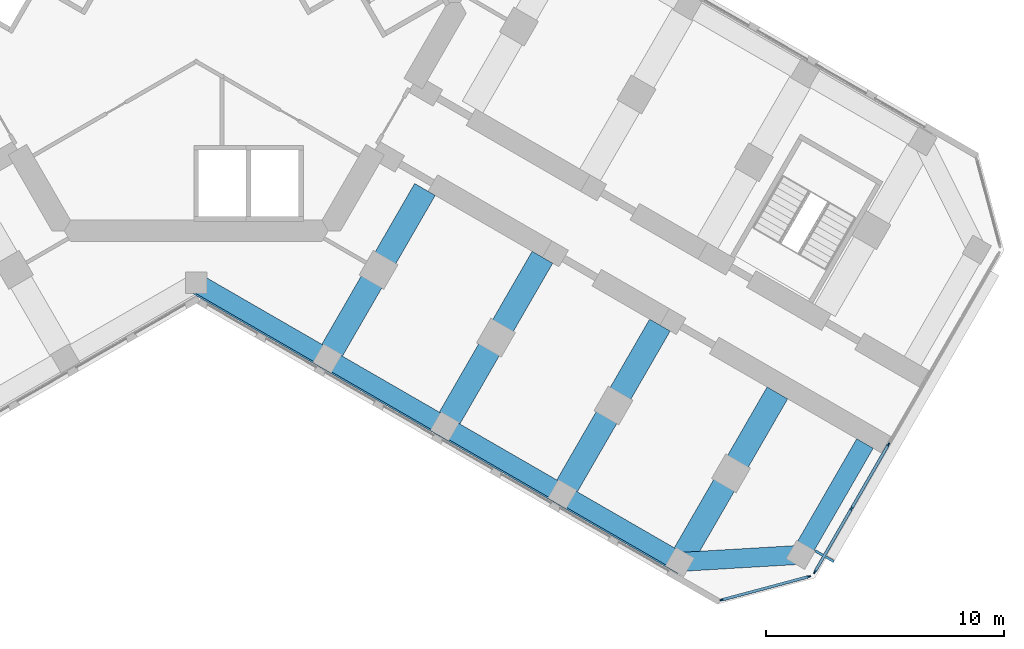
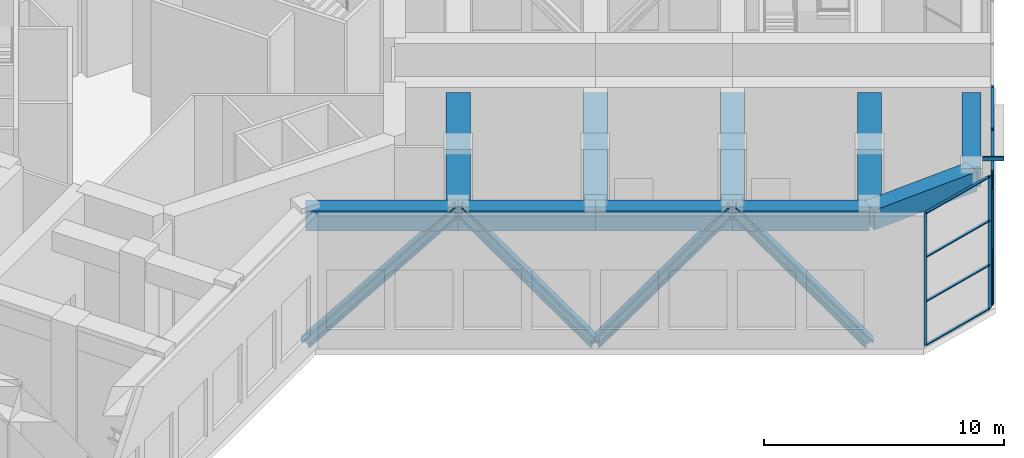
# One storey, part 5 of 15: 20 members, 10 beams, 2 elements without a shape of their own.
"""IFC4 building model written with IfcOpenShell, lengths in metres."""

from ifc_helpers import new_model, si_unit, direction, frame, origin, origin_2d, place, context, subcontext, project, spatial, rectangle, hollow_rectangle, i_section, extrude, material, material_profile, profile_set, type_object, element, aggregate, save


model = new_model("IFC4")

# Units and contexts
model_context = context("Model", 3, precision=1e-05, world=origin(), true_north=direction((0.0, 1.0)))
body_context = subcontext(model_context, "Body", "Model", "MODEL_VIEW")
ifc_project = project(units=[si_unit("LENGTHUNIT", "METRE"), si_unit("AREAUNIT", "SQUARE_METRE"), si_unit("VOLUMEUNIT", "CUBIC_METRE"), si_unit("PLANEANGLEUNIT", "RADIAN"), si_unit("MASSUNIT", "GRAM", prefix="KILO")], contexts=[model_context])

# Site, building, storey
site_placement = place(None, origin())
site = spatial("IfcSite", under=ifc_project, at=site_placement, CompositionType="ELEMENT")
building_placement = place(site_placement, origin())
building = spatial("IfcBuilding", under=site, at=building_placement, Name="Kosmar Iwan School Tower", CompositionType="ELEMENT")
storey_placement = place(building_placement, frame((0.0, 0.0, 186.800048828125)))
storey = spatial("IfcBuildingStorey", under=building, at=storey_placement, Name="L47", CompositionType="ELEMENT", Elevation=186.800048828125)

# Members
ifc_material_1 = material(Name="Steel S355", Category="steel")
ifc_material_profile_1 = material_profile(ifc_material_1, i_section(OverallWidth=0.424072265625, OverallDepth=0.47412109375, WebThickness=0.047607421875, FlangeThickness=0.0771484375, FilletRadius=0.014892578125, at=origin_2d()), Name="HD 400x634")
ifc_profile_set_1 = profile_set([ifc_material_profile_1], Name="Steel S355")
member_type_1 = type_object("IfcMemberType", Name="Belt truss diagonal HD 400x634", PredefinedType="BRACE", material=ifc_profile_set_1)
member_1_placement = place(storey_placement, frame((-0.12890625, -12.00146484375, 0.0), z_axis=(0.590541526201, -0.340940633834, 0.731450743409), x_axis=(0.49999045822, 0.866030912664, 0.0)))
element("IfcMember", 1, at=member_1_placement, inside=storey, type_object=member_type_1, Name="Belt truss diagonal CR1", PredefinedType="BRACE", context=body_context, shape_type="SweptSolid", body=[
    extrude(i_section(OverallWidth=0.424072265625, OverallDepth=0.47412109375, WebThickness=0.047607421875, FlangeThickness=0.0771484375, FilletRadius=0.014892578125, at=origin_2d()), origin(), (0.0, 0.0, 1.0), 9.328369140625),
])
member_2_placement = place(storey_placement, frame((5.3798828125, -15.181884765625, 6.8232421875), z_axis=(0.555211280294, -0.320566619821, -0.767448680037), x_axis=(0.50001782563, 0.866015111908, 0.0)))
element("IfcMember", 2, at=member_2_placement, inside=storey, type_object=member_type_1, Name="Belt truss diagonal CR2", PredefinedType="BRACE", context=body_context, shape_type="SweptSolid", body=[
    extrude(i_section(OverallWidth=0.424072265625, OverallDepth=0.47412109375, WebThickness=0.047607421875, FlangeThickness=0.0771484375, FilletRadius=0.014892578125, at=origin_2d()), origin(), (0.0, 0.0, 1.0), 8.890869140625),
])
member_3_placement = place(storey_placement, frame((10.316162109375, -18.031982421875, 0.0), z_axis=(0.555216167519, -0.320541981475, 0.767455435473), x_axis=(0.49998570155, 0.866033658841, 0.0)))
element("IfcMember", 3, at=member_3_placement, inside=storey, type_object=member_type_1, Name="Belt truss diagonal CR3", PredefinedType="BRACE", context=body_context, shape_type="SweptSolid", body=[
    extrude(i_section(OverallWidth=0.424072265625, OverallDepth=0.47412109375, WebThickness=0.047607421875, FlangeThickness=0.0771484375, FilletRadius=0.014892578125, at=origin_2d()), origin(), (0.0, 0.0, 1.0), 8.890625),
])
member_4_placement = place(storey_placement, frame((15.25244140625, -20.8818359375, 6.8232421875), z_axis=(0.555230274968, -0.320561732442, -0.767436979466), x_axis=(0.499999279071, 0.866025820012, 0.0)))
element("IfcMember", 4, at=member_4_placement, inside=storey, type_object=member_type_1, Name="Belt truss diagonal CR4", PredefinedType="BRACE", context=body_context, shape_type="SweptSolid", body=[
    extrude(i_section(OverallWidth=0.424072265625, OverallDepth=0.47412109375, WebThickness=0.047607421875, FlangeThickness=0.0771484375, FilletRadius=0.014892578125, at=origin_2d()), origin(), (0.0, 0.0, 1.0), 8.890869140625),
])

# Beams
ifc_material_2 = material(Name="Concrete C50/60", Category="concrete")
ifc_material_profile_2 = material_profile(ifc_material_2, rectangle(XDim=0.800048828125, YDim=1.0, at=origin_2d()), Name="RC 800x1000 + HD 400x634")
ifc_profile_set_2 = profile_set([ifc_material_profile_2], Name="Concrete C50/60")
beam_type_1 = type_object("IfcBeamType", Name="Composite edge beam 800x1000 HD 400x634", PredefinedType="BEAM", material=ifc_profile_set_2)
beam_1_placement = place(storey_placement, frame((0.0, -11.77783203125, 6.25), z_axis=(0.866014293216, -0.500019243575, 0.0), x_axis=(0.500019243575, 0.866014293216, 0.0)))
element("IfcBeam", 5, at=beam_1_placement, inside=storey, type_object=beam_type_1, Name="Edge beam CR1", PredefinedType="BEAM", context=body_context, shape_type="SweptSolid", body=[
    extrude(rectangle(XDim=0.800048828125, YDim=1.0, at=origin_2d()), origin(), (0.0, 0.0, 1.0), 6.361083984375),
])
beam_2_placement = place(storey_placement, frame((5.5087890625, -14.95849609375, 6.25), z_axis=(0.866033658841, -0.49998570155, 0.0), x_axis=(0.49998570155, 0.866033658841, 0.0)))
element("IfcBeam", 6, at=beam_2_placement, inside=storey, type_object=beam_type_1, Name="Edge beam CR2", PredefinedType="BEAM", context=body_context, shape_type="SweptSolid", body=[
    extrude(rectangle(XDim=0.800048828125, YDim=1.0, at=origin_2d()), origin(), (0.0, 0.0, 1.0), 5.699951171875),
])
beam_3_placement = place(storey_placement, frame((10.445068359375, -17.808349609375, 6.25), z_axis=(0.866025820012, -0.499999279071, 0.0), x_axis=(0.499999279071, 0.866025820012, 0.0)))
element("IfcBeam", 7, at=beam_3_placement, inside=storey, type_object=beam_type_1, Name="Edge beam CR3", PredefinedType="BEAM", context=body_context, shape_type="SweptSolid", body=[
    extrude(rectangle(XDim=0.800048828125, YDim=1.0, at=origin_2d()), origin(), (0.0, 0.0, 1.0), 5.7001953125),
])
beam_4_placement = place(storey_placement, frame((15.381591796875, -20.658447265625, 6.25), z_axis=(0.866015111908, -0.50001782563, 0.0), x_axis=(0.50001782563, 0.866015111908, 0.0)))
element("IfcBeam", 8, at=beam_4_placement, inside=storey, type_object=beam_type_1, Name="Edge beam CR4", PredefinedType="BEAM", context=body_context, shape_type="SweptSolid", body=[
    extrude(rectangle(XDim=0.800048828125, YDim=1.0, at=origin_2d()), origin(), (0.0, 0.0, 1.0), 5.699951171875),
])
ifc_material_3 = material(Name="Concrete C50/60", Category="concrete")
ifc_material_profile_3 = material_profile(ifc_material_3, rectangle(XDim=1.0, YDim=1.0, at=origin_2d()), Name="RC 1000x1000 + HD 400x347")
ifc_profile_set_3 = profile_set([ifc_material_profile_3], Name="Concrete C50/60")
beam_type_2 = type_object("IfcBeamType", Name="Composite transverse beam 1000x1000 HD 400x347", PredefinedType="BEAM", material=ifc_profile_set_3)
beam_5_placement = place(storey_placement, frame((5.5087890625, -14.95849609375, 6.25), z_axis=(0.500000789788, 0.8660249478, 0.0), x_axis=(-0.8660249478, 0.500000789788, 0.0)))
element("IfcBeam", 9, at=beam_5_placement, inside=storey, type_object=beam_type_2, Name="Transverse beam CR1", PredefinedType="BEAM", context=body_context, shape_type="SweptSolid", body=[
    extrude(rectangle(XDim=1.0, YDim=1.0, at=origin_2d()), origin(), (0.0, 0.0, 1.0), 8.2001953125),
])
for number, where, z_axis, x_axis, name in (
    (10, (10.445068359375, -17.808349609375, 6.25), (0.500013681986, 0.866017504342, 0.0), (-0.866017504342, 0.500013681986, 0.0), "Transverse beam CR2"),
    (11, (15.381591796875, -20.658447265625, 6.25), (0.49999135188, 0.866030396721, 0.0), (-0.866030396721, 0.49999135188, 0.0), "Transverse beam CR3"),
    (12, (20.31787109375, -23.508544921875, 6.25), (0.499978459874, 0.866037839625, 0.0), (-0.866037839625, 0.499978459874, 0.0), "Transverse beam CR4"),
):
    element("IfcBeam", number, at=place(storey_placement, frame(where, z_axis=z_axis, x_axis=x_axis)), inside=storey, type_object=beam_type_2, Name=name, PredefinedType="BEAM", context=body_context, shape_type="SweptSolid", body=[
        extrude(rectangle(XDim=1.0, YDim=1.0, at=origin_2d()), origin(), (0.0, 0.0, 1.0), 8.199951171875),
    ])

# Member
ifc_material_4 = material(Name="Steel S355", Category="steel")
ifc_material_profile_4 = material_profile(ifc_material_4, hollow_rectangle(XDim=0.10009765625, YDim=0.199951171875, WallThickness=0.008056640625, at=origin_2d()), Name="RHS 200x100x8")
ifc_profile_set_4 = profile_set([ifc_material_profile_4], Name="Steel S355")
member_type_2 = type_object("IfcMemberType", Name="Fin bracket RHS 200x100", PredefinedType="USERDEFINED", material=ifc_profile_set_4)
member_5_placement = place(storey_placement, frame((26.01318359375, -23.0439453125, 6.875), z_axis=(0.866013897511, -0.50001992892, 0.0), x_axis=(0.50001992892, 0.866013897511, 0.0)))
element("IfcMember", 13, at=member_5_placement, inside=storey, type_object=member_type_2, Name="Fin bracket L48", ObjectType="FIN BRACKET", PredefinedType="USERDEFINED", context=body_context, shape_type="SweptSolid", body=[
    extrude(hollow_rectangle(XDim=0.10009765625, YDim=0.199951171875, WallThickness=0.008056640625, at=origin_2d()), origin(), (0.0, 0.0, 1.0), 0.89990234375),
])

# Curtain wall, members
ifc_material_5 = material(Name="Dark glass in black aluminium frame", Category="aluminium")
curtain_wall_type_1 = type_object("IfcCurtainWallType", Name="Chamfer curtain wall dark glass", PredefinedType="USERDEFINED", material=ifc_material_5)
curtain_wall_1_placement = place(storey_placement, origin())
curtain_wall_1 = element("IfcCurtainWall", 14, at=curtain_wall_1_placement, inside=storey, type_object=curtain_wall_type_1, Name="Curtain wall L47-F02", ObjectType="FACETED CURTAIN WALL", PredefinedType="USERDEFINED")
ifc_material_6 = material(Name="Black anodised aluminium", Category="aluminium")
ifc_material_profile_5 = material_profile(ifc_material_6, rectangle(XDim=0.06005859375, YDim=0.159912109375, at=origin_2d()), Name="MULLION 60x160")
ifc_profile_set_5 = profile_set([ifc_material_profile_5], Name="Black anodised aluminium")
member_type_3 = type_object("IfcMemberType", Name="Mullion 60x160", PredefinedType="MULLION", material=ifc_profile_set_5)
member_6_placement = place(storey_placement, frame((22.0830078125, -25.102294921875, 0.0), z_axis=(0.0, 0.0, 1.0), x_axis=(-0.258818861462, 0.965925875495, 0.0)))
member_6 = element("IfcMember", 15, at=member_6_placement, type_object=member_type_3, Name="CW2 mullion 1", PredefinedType="MULLION", context=body_context, shape_type="SweptSolid", body=[
    extrude(rectangle(XDim=0.06005859375, YDim=0.159912109375, at=origin_2d()), origin(), (0.0, 0.0, 1.0), 6.75),
])
member_7_placement = place(storey_placement, frame((25.733154296875, -24.124267578125, 0.0), z_axis=(0.0, 0.0, 1.0), x_axis=(-0.258818861462, 0.965925875495, 0.0)))
member_7 = element("IfcMember", 16, at=member_7_placement, type_object=member_type_3, Name="CW2 mullion 2", PredefinedType="MULLION", context=body_context, shape_type="SweptSolid", body=[
    extrude(rectangle(XDim=0.06005859375, YDim=0.159912109375, at=origin_2d()), origin(), (0.0, 0.0, 1.0), 6.75),
])

ifc_material_7 = material(Name="Black aluminium louvres and glass", Category="aluminium")
curtain_wall_type_2 = type_object("IfcCurtainWallType", Name="Plant floor louvred curtain wall", PredefinedType="USERDEFINED", material=ifc_material_7)
curtain_wall_2_placement = place(storey_placement, origin())
curtain_wall_2 = element("IfcCurtainWall", 17, at=curtain_wall_2_placement, inside=storey, type_object=curtain_wall_type_2, Name="Curtain wall L47-F03", ObjectType="LOUVRED CURTAIN WALL", PredefinedType="USERDEFINED")
member_8_placement = place(storey_placement, frame((25.9970703125, -23.921630859375, 0.0), z_axis=(0.0, 0.0, 1.0), x_axis=(-0.866025405329, 0.499999997325, 0.0)))
member_8 = element("IfcMember", 18, at=member_8_placement, type_object=member_type_3, Name="CW4 mullion 1", PredefinedType="MULLION", context=body_context, shape_type="SweptSolid", body=[
    extrude(rectangle(XDim=0.06005859375, YDim=0.159912109375, at=origin_2d()), origin(), (0.0, 0.0, 1.0), 6.75),
])
member_9_placement = place(storey_placement, frame((27.53173828125, -21.263671875, 0.0), z_axis=(0.0, 0.0, 1.0), x_axis=(-0.866025405329, 0.499999997325, 0.0)))
member_9 = element("IfcMember", 19, at=member_9_placement, type_object=member_type_3, Name="CW4 mullion 2", PredefinedType="MULLION", context=body_context, shape_type="SweptSolid", body=[
    extrude(rectangle(XDim=0.06005859375, YDim=0.159912109375, at=origin_2d()), origin(), (0.0, 0.0, 1.0), 6.75),
])
member_10_placement = place(storey_placement, frame((29.081298828125, -18.57958984375, 0.0), z_axis=(0.0, 0.0, 1.0), x_axis=(-0.866025405329, 0.499999997325, 0.0)))
member_10 = element("IfcMember", 20, at=member_10_placement, type_object=member_type_3, Name="CW4 mullion 3", PredefinedType="MULLION", context=body_context, shape_type="SweptSolid", body=[
    extrude(rectangle(XDim=0.06005859375, YDim=0.159912109375, at=origin_2d()), origin(), (0.0, 0.0, 1.0), 6.75),
])

# Beams
ifc_material_8 = material(Name="Concrete C50/60", Category="concrete")
ifc_material_profile_6 = material_profile(ifc_material_8, rectangle(XDim=0.800048828125, YDim=1.0, at=origin_2d()), Name="RC 800x1000")
ifc_profile_set_6 = profile_set([ifc_material_profile_6], Name="Concrete C50/60")
beam_type_3 = type_object("IfcBeamType", Name="RC tip beam 800x1000", PredefinedType="BEAM", material=ifc_profile_set_6)
beam_6_placement = place(storey_placement, frame((20.31787109375, -23.508544921875, 6.25), z_axis=(0.998260616478, 0.058955420358, 0.0), x_axis=(-0.058955420358, 0.998260616478, 0.0)))
element("IfcBeam", 21, at=beam_6_placement, inside=storey, type_object=beam_type_3, Name="Tip beam CR", PredefinedType="BEAM", context=body_context, shape_type="SweptSolid", body=[
    extrude(rectangle(XDim=0.800048828125, YDim=1.0, at=origin_2d()), origin(), (0.0, 0.0, 1.0), 5.08935546875),
])
beam_7_placement = place(storey_placement, frame((25.3984375, -23.20849609375, 6.25), z_axis=(0.499995103361, 0.866028230842, 0.0), x_axis=(-0.866028230842, 0.499995103361, 0.0)))
element("IfcBeam", 22, at=beam_7_placement, inside=storey, type_object=beam_type_3, Name="Tip beam CR to corridor wall", PredefinedType="BEAM", context=body_context, shape_type="SweptSolid", body=[
    extrude(rectangle(XDim=0.800048828125, YDim=1.0, at=origin_2d()), origin(), (0.0, 0.0, 1.0), 5.39990234375),
])

# Member
ifc_material_9 = material(Name="Black anodised aluminium", Category="aluminium")
ifc_material_profile_7 = material_profile(ifc_material_9, rectangle(XDim=0.1201171875, YDim=0.06005859375, at=origin_2d()), Name="TRANSOM 60x120")
ifc_profile_set_7 = profile_set([ifc_material_profile_7], Name="Black anodised aluminium")
member_type_4 = type_object("IfcMemberType", Name="Transom 60x120", PredefinedType="USERDEFINED", material=ifc_profile_set_7)
member_11_placement = place(storey_placement, frame((22.11181640625, -25.094482421875, 0.030029296875), z_axis=(0.965923731726, 0.258826861991, 0.0), x_axis=(-0.258826861991, 0.965923731726, 0.0)))
member_11 = element("IfcMember", 23, at=member_11_placement, type_object=member_type_4, Name="CW2 transom 1.1", ObjectType="TRANSOM", PredefinedType="USERDEFINED", context=body_context, shape_type="SweptSolid", body=[
    extrude(rectangle(XDim=0.1201171875, YDim=0.06005859375, at=origin_2d()), origin(), (0.0, 0.0, 1.0), 3.71923828125),
])

member_12_placement = place(storey_placement, frame((22.11181640625, -25.094482421875, 2.25), z_axis=(0.965923731726, 0.258826861991, 0.0), x_axis=(-0.258826861991, 0.965923731726, 0.0)))
member_12 = element("IfcMember", 24, at=member_12_placement, type_object=member_type_4, Name="CW2 transom 1.2", ObjectType="TRANSOM", PredefinedType="USERDEFINED", context=body_context, shape_type="SweptSolid", body=[
    extrude(rectangle(XDim=0.1201171875, YDim=0.06005859375, at=origin_2d()), origin(), (0.0, 0.0, 1.0), 3.71923828125),
])

member_13_placement = place(storey_placement, frame((22.11181640625, -25.094482421875, 4.5), z_axis=(0.965923731726, 0.258826861991, 0.0), x_axis=(-0.258826861991, 0.965923731726, 0.0)))
member_13 = element("IfcMember", 25, at=member_13_placement, type_object=member_type_4, Name="CW2 transom 1.3", ObjectType="TRANSOM", PredefinedType="USERDEFINED", context=body_context, shape_type="SweptSolid", body=[
    extrude(rectangle(XDim=0.1201171875, YDim=0.06005859375, at=origin_2d()), origin(), (0.0, 0.0, 1.0), 3.71923828125),
])

member_14_placement = place(storey_placement, frame((22.11181640625, -25.094482421875, 6.719970703125), z_axis=(0.965923731726, 0.258826861991, 0.0), x_axis=(-0.258826861991, 0.965923731726, 0.0)))
member_14 = element("IfcMember", 26, at=member_14_placement, type_object=member_type_4, Name="CW2 transom 1.4", ObjectType="TRANSOM", PredefinedType="USERDEFINED", context=body_context, shape_type="SweptSolid", body=[
    extrude(rectangle(XDim=0.1201171875, YDim=0.06005859375, at=origin_2d()), origin(), (0.0, 0.0, 1.0), 3.71923828125),
])

aggregate(curtain_wall_1, [member_6, member_7, member_11, member_12, member_13, member_14])

member_15_placement = place(storey_placement, frame((26.01220703125, -23.895751953125, 0.030029296875), z_axis=(0.499986971506, 0.866032925658, 0.0), x_axis=(-0.866032925658, 0.499986971506, 0.0)))
member_15 = element("IfcMember", 27, at=member_15_placement, type_object=member_type_4, Name="CW4 transom 1.1", ObjectType="TRANSOM", PredefinedType="USERDEFINED", context=body_context, shape_type="SweptSolid", body=[
    extrude(rectangle(XDim=0.1201171875, YDim=0.06005859375, at=origin_2d()), origin(), (0.0, 0.0, 1.0), 3.00927734375),
])

member_16_placement = place(storey_placement, frame((26.01220703125, -23.895751953125, 3.375), z_axis=(0.499986971506, 0.866032925658, 0.0), x_axis=(-0.866032925658, 0.499986971506, 0.0)))
member_16 = element("IfcMember", 28, at=member_16_placement, type_object=member_type_4, Name="CW4 transom 1.2", ObjectType="TRANSOM", PredefinedType="USERDEFINED", context=body_context, shape_type="SweptSolid", body=[
    extrude(rectangle(XDim=0.1201171875, YDim=0.06005859375, at=origin_2d()), origin(), (0.0, 0.0, 1.0), 3.00927734375),
])

member_17_placement = place(storey_placement, frame((26.01220703125, -23.895751953125, 6.719970703125), z_axis=(0.499986971506, 0.866032925658, 0.0), x_axis=(-0.866032925658, 0.499986971506, 0.0)))
member_17 = element("IfcMember", 29, at=member_17_placement, type_object=member_type_4, Name="CW4 transom 1.3", ObjectType="TRANSOM", PredefinedType="USERDEFINED", context=body_context, shape_type="SweptSolid", body=[
    extrude(rectangle(XDim=0.1201171875, YDim=0.06005859375, at=origin_2d()), origin(), (0.0, 0.0, 1.0), 3.00927734375),
])

member_18_placement = place(storey_placement, frame((27.546875, -21.237548828125, 0.030029296875), z_axis=(0.499975102327, 0.866039777986, 0.0), x_axis=(-0.866039777986, 0.499975102327, 0.0)))
member_18 = element("IfcMember", 30, at=member_18_placement, type_object=member_type_4, Name="CW4 transom 2.1", ObjectType="TRANSOM", PredefinedType="USERDEFINED", context=body_context, shape_type="SweptSolid", body=[
    extrude(rectangle(XDim=0.1201171875, YDim=0.06005859375, at=origin_2d()), origin(), (0.0, 0.0, 1.0), 3.039306640625),
])

member_19_placement = place(storey_placement, frame((27.546875, -21.237548828125, 3.375), z_axis=(0.499975102327, 0.866039777986, 0.0), x_axis=(-0.866039777986, 0.499975102327, 0.0)))
member_19 = element("IfcMember", 31, at=member_19_placement, type_object=member_type_4, Name="CW4 transom 2.2", ObjectType="TRANSOM", PredefinedType="USERDEFINED", context=body_context, shape_type="SweptSolid", body=[
    extrude(rectangle(XDim=0.1201171875, YDim=0.06005859375, at=origin_2d()), origin(), (0.0, 0.0, 1.0), 3.039306640625),
])

member_20_placement = place(storey_placement, frame((27.546875, -21.237548828125, 6.719970703125), z_axis=(0.499975102327, 0.866039777986, 0.0), x_axis=(-0.866039777986, 0.499975102327, 0.0)))
member_20 = element("IfcMember", 32, at=member_20_placement, type_object=member_type_4, Name="CW4 transom 2.3", ObjectType="TRANSOM", PredefinedType="USERDEFINED", context=body_context, shape_type="SweptSolid", body=[
    extrude(rectangle(XDim=0.1201171875, YDim=0.06005859375, at=origin_2d()), origin(), (0.0, 0.0, 1.0), 3.039306640625),
])

aggregate(curtain_wall_2, [member_8, member_9, member_10, member_15, member_16, member_17, member_18, member_19, member_20])

save(model, "model.ifc")
